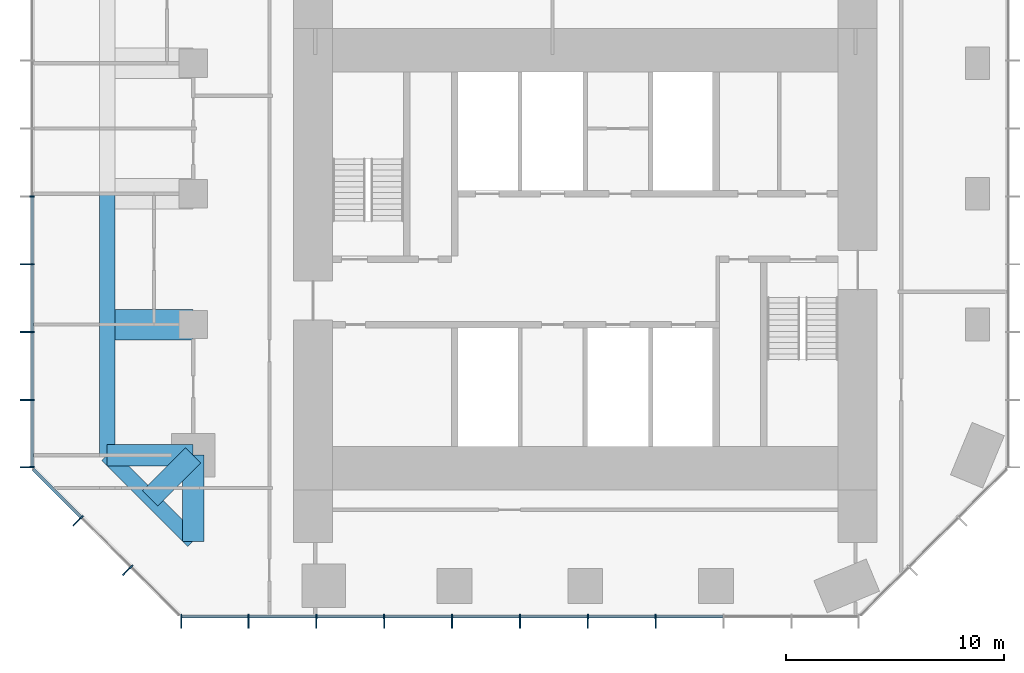
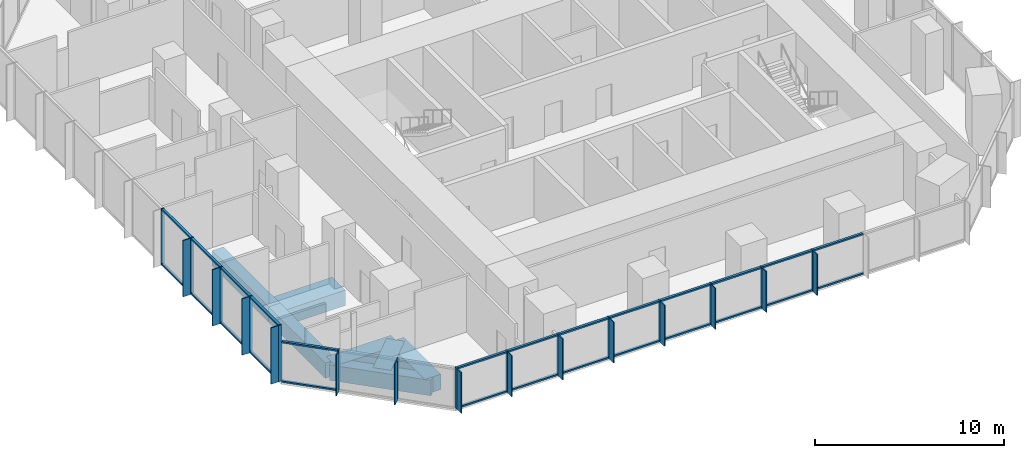
# One storey, part 2 of 11: 55 members, 7 beams, 3 elements without a shape of their own.
"""IFC4 building model written with IfcOpenShell, lengths in metres."""

from ifc_helpers import new_model, si_unit, direction, frame, origin, origin_2d, place, context, subcontext, project, spatial, rectangle, extrude, material, layer, layer_set, material_profile, profile_set, type_object, element, aggregate, save


model = new_model("IFC4")

# Units and contexts
model_context = context("Model", 3, precision=1e-05, world=origin(), true_north=direction((0.0, 1.0)))
body_context = subcontext(model_context, "Body", "Model", "MODEL_VIEW")
ifc_project = project(units=[si_unit("LENGTHUNIT", "METRE"), si_unit("AREAUNIT", "SQUARE_METRE"), si_unit("VOLUMEUNIT", "CUBIC_METRE"), si_unit("PLANEANGLEUNIT", "RADIAN"), si_unit("MASSUNIT", "GRAM", prefix="KILO")], contexts=[model_context])

# Site, building, storey
site_placement = place(None, origin())
site = spatial("IfcSite", under=ifc_project, at=site_placement, CompositionType="ELEMENT")
building_placement = place(site_placement, origin())
building = spatial("IfcBuilding", under=site, at=building_placement, Name="Highveld Stack Headquarters", CompositionType="ELEMENT")
storey_placement = place(building_placement, frame((0.0, 0.0, 208.39990234375)))
storey = spatial("IfcBuildingStorey", under=building, at=storey_placement, Name="L51", CompositionType="ELEMENT", Elevation=208.39990234375)

# Beams
ifc_material_1 = material(Name="Concrete C60/75", Category="concrete")
ifc_material_profile_1 = material_profile(ifc_material_1, rectangle(XDim=1.0, YDim=1.0, at=origin_2d()), Name="RC 1000x1000")
ifc_profile_set_1 = profile_set([ifc_material_profile_1], Name="Concrete C60/75")
beam_type_1 = type_object("IfcBeamType", Name="CANTILEVER RIB RC 1000x1000", PredefinedType="USERDEFINED", material=ifc_profile_set_1)
for number, where, z_axis, x_axis, name in (
    (1, (-12.0, -6.0, -0.75), (-1.0, 0.0, 0.0), (0.0, -1.0, 0.0), "Cantilever rib 4/D L51"),
    (2, (-12.0, -6.0, -0.75), (0.0, -1.0, 0.0), (1.0, 0.0, 0.0), "Cantilever rib 4/D L51"),
):
    element("IfcBeam", number, at=place(storey_placement, frame(where, z_axis=z_axis, x_axis=x_axis)), inside=storey, type_object=beam_type_1, Name=name, ObjectType="CANTILEVER RIB", PredefinedType="USERDEFINED", context=body_context, shape_type="SweptSolid", body=[
        extrude(rectangle(XDim=1.0, YDim=1.0, at=origin_2d()), origin(), (0.0, 0.0, 1.0), 3.949951171875),
    ])
beam_1_placement = place(storey_placement, frame((-12.0, -6.0, -0.75), z_axis=(-0.707106781187, -0.707106781187, 0.0), x_axis=(0.707106781187, -0.707106781187, 0.0)))
element("IfcBeam", 3, at=beam_1_placement, inside=storey, type_object=beam_type_1, Name="Cantilever rib 4/D L51", ObjectType="CANTILEVER RIB", PredefinedType="USERDEFINED", context=body_context, shape_type="SweptSolid", body=[
    extrude(rectangle(XDim=1.0, YDim=1.0, at=origin_2d()), origin(), (0.0, 0.0, 1.0), 2.793212890625),
])
ifc_material_2 = material(Name="Concrete C60/75", Category="concrete")
ifc_material_profile_2 = material_profile(ifc_material_2, rectangle(XDim=1.39990234375, YDim=1.0, at=origin_2d()), Name="RC 1400x1000")
ifc_profile_set_2 = profile_set([ifc_material_profile_2], Name="Concrete C60/75")
beam_type_2 = type_object("IfcBeamType", Name="CANTILEVER RIB RC 1400x1000", PredefinedType="USERDEFINED", material=ifc_profile_set_2)
beam_2_placement = place(storey_placement, frame((-12.0, 0.0, -0.75), z_axis=(-1.0, 0.0, 0.0), x_axis=(0.0, -1.0, 0.0)))
element("IfcBeam", 4, at=beam_2_placement, inside=storey, type_object=beam_type_2, Name="Cantilever rib 4/E L51", ObjectType="CANTILEVER RIB", PredefinedType="USERDEFINED", context=body_context, shape_type="SweptSolid", body=[
    extrude(rectangle(XDim=1.39990234375, YDim=1.0, at=origin_2d()), origin(), (0.0, 0.0, 1.0), 3.949951171875),
])

# Curtain wall, members
ifc_material_3 = material(Name="Aluminium bronze anodised", Category="aluminium")
ifc_layer_1 = layer(ifc_material_3, 0.199951171875)
ifc_layer_set_1 = layer_set([ifc_layer_1], Name="Aluminium bronze anodised")
curtain_wall_type_1 = type_object("IfcCurtainWallType", Name="CW1 TOWER UNITISED CURTAIN WALL", PredefinedType="NOTDEFINED", material=ifc_layer_set_1)
curtain_wall_1_placement = place(storey_placement, origin())
curtain_wall_1 = element("IfcCurtainWall", 5, at=curtain_wall_1_placement, inside=storey, type_object=curtain_wall_type_1, Name="Curtain wall CW1 L51 S", PredefinedType="NOTDEFINED")
ifc_material_4 = material(Name="Aluminium bronze anodised", Category="aluminium")
ifc_material_profile_3 = material_profile(ifc_material_4, rectangle(XDim=0.449951171875, YDim=0.06005859375, at=origin_2d()), Name="FIN 450x60")
ifc_profile_set_3 = profile_set([ifc_material_profile_3], Name="Aluminium bronze anodised")
member_type_1 = type_object("IfcMemberType", Name="CW1 BRONZE FIN 450x60", PredefinedType="USERDEFINED", material=ifc_profile_set_3)
member_1_placement = place(storey_placement, frame((-12.54736328125, -13.72509765625, 0.0), z_axis=(0.0, 0.0, 1.0), x_axis=(0.0, 1.0, 0.0)))
member_1 = element("IfcMember", 6, at=member_1_placement, type_object=member_type_1, Name="CW1 fin L51 1", ObjectType="FIN", PredefinedType="USERDEFINED", context=body_context, shape_type="SweptSolid", body=[
    extrude(rectangle(XDim=0.449951171875, YDim=0.06005859375, at=origin_2d()), origin(), (0.0, 0.0, 1.0), 2.650146484375),
])
member_2_placement = place(storey_placement, frame((-9.4638671875, -13.72509765625, 0.0), z_axis=(0.0, 0.0, 1.0), x_axis=(0.0, 1.0, 0.0)))
member_2 = element("IfcMember", 7, at=member_2_placement, type_object=member_type_1, Name="CW1 fin L51 2", ObjectType="FIN", PredefinedType="USERDEFINED", context=body_context, shape_type="SweptSolid", body=[
    extrude(rectangle(XDim=0.449951171875, YDim=0.06005859375, at=origin_2d()), origin(), (0.0, 0.0, 1.0), 2.650146484375),
])
member_3_placement = place(storey_placement, frame((-6.347900390625, -13.72509765625, 0.0), z_axis=(0.0, 0.0, 1.0), x_axis=(0.0, 1.0, 0.0)))
member_3 = element("IfcMember", 8, at=member_3_placement, type_object=member_type_1, Name="CW1 fin L51 3", ObjectType="FIN", PredefinedType="USERDEFINED", context=body_context, shape_type="SweptSolid", body=[
    extrude(rectangle(XDim=0.449951171875, YDim=0.06005859375, at=origin_2d()), origin(), (0.0, 0.0, 1.0), 2.650146484375),
])
member_4_placement = place(storey_placement, frame((-3.23193359375, -13.72509765625, 0.0), z_axis=(0.0, 0.0, 1.0), x_axis=(0.0, 1.0, 0.0)))
member_4 = element("IfcMember", 9, at=member_4_placement, type_object=member_type_1, Name="CW1 fin L51 4", ObjectType="FIN", PredefinedType="USERDEFINED", context=body_context, shape_type="SweptSolid", body=[
    extrude(rectangle(XDim=0.449951171875, YDim=0.06005859375, at=origin_2d()), origin(), (0.0, 0.0, 1.0), 2.650146484375),
])
member_5_placement = place(storey_placement, frame((-0.115966796875, -13.72509765625, 0.0), z_axis=(0.0, 0.0, 1.0), x_axis=(0.0, 1.0, 0.0)))
member_5 = element("IfcMember", 10, at=member_5_placement, type_object=member_type_1, Name="CW1 fin L51 5", ObjectType="FIN", PredefinedType="USERDEFINED", context=body_context, shape_type="SweptSolid", body=[
    extrude(rectangle(XDim=0.449951171875, YDim=0.06005859375, at=origin_2d()), origin(), (0.0, 0.0, 1.0), 2.650146484375),
])
member_6_placement = place(storey_placement, frame((3.0, -13.72509765625, 0.0), z_axis=(0.0, 0.0, 1.0), x_axis=(0.0, 1.0, 0.0)))
member_6 = element("IfcMember", 11, at=member_6_placement, type_object=member_type_1, Name="CW1 fin L51 6", ObjectType="FIN", PredefinedType="USERDEFINED", context=body_context, shape_type="SweptSolid", body=[
    extrude(rectangle(XDim=0.449951171875, YDim=0.06005859375, at=origin_2d()), origin(), (0.0, 0.0, 1.0), 2.650146484375),
])
member_7_placement = place(storey_placement, frame((6.115966796875, -13.72509765625, 0.0), z_axis=(0.0, 0.0, 1.0), x_axis=(0.0, 1.0, 0.0)))
member_7 = element("IfcMember", 12, at=member_7_placement, type_object=member_type_1, Name="CW1 fin L51 7", ObjectType="FIN", PredefinedType="USERDEFINED", context=body_context, shape_type="SweptSolid", body=[
    extrude(rectangle(XDim=0.449951171875, YDim=0.06005859375, at=origin_2d()), origin(), (0.0, 0.0, 1.0), 2.650146484375),
])
member_8_placement = place(storey_placement, frame((9.23193359375, -13.72509765625, 0.0), z_axis=(0.0, 0.0, 1.0), x_axis=(0.0, 1.0, 0.0)))
member_8 = element("IfcMember", 13, at=member_8_placement, type_object=member_type_1, Name="CW1 fin L51 8", ObjectType="FIN", PredefinedType="USERDEFINED", context=body_context, shape_type="SweptSolid", body=[
    extrude(rectangle(XDim=0.449951171875, YDim=0.06005859375, at=origin_2d()), origin(), (0.0, 0.0, 1.0), 2.650146484375),
])

curtain_wall_2_placement = place(storey_placement, origin())
curtain_wall_2 = element("IfcCurtainWall", 14, at=curtain_wall_2_placement, inside=storey, type_object=curtain_wall_type_1, Name="Curtain wall CW1 L51 W", PredefinedType="NOTDEFINED")
member_9_placement = place(storey_placement, frame((-19.72509765625, 2.76806640625, 0.0), z_axis=(0.0, 0.0, 1.0), x_axis=(1.0, 0.0, 0.0)))
member_9 = element("IfcMember", 15, at=member_9_placement, type_object=member_type_1, Name="CW1 fin L51 8", ObjectType="FIN", PredefinedType="USERDEFINED", context=body_context, shape_type="SweptSolid", body=[
    extrude(rectangle(XDim=0.449951171875, YDim=0.06005859375, at=origin_2d()), origin(), (0.0, 0.0, 1.0), 3.650146484375),
])
member_10_placement = place(storey_placement, frame((-19.72509765625, -0.347900390625, 0.0), z_axis=(0.0, 0.0, 1.0), x_axis=(1.0, 0.0, 0.0)))
member_10 = element("IfcMember", 16, at=member_10_placement, type_object=member_type_1, Name="CW1 fin L51 9", ObjectType="FIN", PredefinedType="USERDEFINED", context=body_context, shape_type="SweptSolid", body=[
    extrude(rectangle(XDim=0.449951171875, YDim=0.06005859375, at=origin_2d()), origin(), (0.0, 0.0, 1.0), 3.650146484375),
])
member_11_placement = place(storey_placement, frame((-19.72509765625, -3.4638671875, 0.0), z_axis=(0.0, 0.0, 1.0), x_axis=(1.0, 0.0, 0.0)))
member_11 = element("IfcMember", 17, at=member_11_placement, type_object=member_type_1, Name="CW1 fin L51 10", ObjectType="FIN", PredefinedType="USERDEFINED", context=body_context, shape_type="SweptSolid", body=[
    extrude(rectangle(XDim=0.449951171875, YDim=0.06005859375, at=origin_2d()), origin(), (0.0, 0.0, 1.0), 3.650146484375),
])
member_12_placement = place(storey_placement, frame((-19.72509765625, -6.54736328125, 0.0), z_axis=(0.0, 0.0, 1.0), x_axis=(1.0, 0.0, 0.0)))
member_12 = element("IfcMember", 18, at=member_12_placement, type_object=member_type_1, Name="CW1 fin L51 11", ObjectType="FIN", PredefinedType="USERDEFINED", context=body_context, shape_type="SweptSolid", body=[
    extrude(rectangle(XDim=0.449951171875, YDim=0.06005859375, at=origin_2d()), origin(), (0.0, 0.0, 1.0), 3.650146484375),
])

# Member
ifc_material_5 = material(Name="Aluminium bronze anodised", Category="aluminium")
ifc_material_profile_4 = material_profile(ifc_material_5, rectangle(XDim=0.199951171875, YDim=0.06494140625, at=origin_2d()), Name="CW1 MULLION 65x200")
ifc_profile_set_4 = profile_set([ifc_material_profile_4], Name="Aluminium bronze anodised")
member_type_2 = type_object("IfcMemberType", Name="CW1 MULLION 65x200", PredefinedType="MULLION", material=ifc_profile_set_4)
member_13_placement = place(storey_placement, frame((-12.54736328125, -13.39990234375, 0.0), z_axis=(0.0, 0.0, 1.0), x_axis=(0.0, 1.0, 0.0)))
member_13 = element("IfcMember", 19, at=member_13_placement, type_object=member_type_2, Name="CW1 mullion L51 1", PredefinedType="MULLION", context=body_context, shape_type="SweptSolid", body=[
    extrude(rectangle(XDim=0.199951171875, YDim=0.06494140625, at=origin_2d()), origin(), (0.0, 0.0, 1.0), 2.650146484375),
])

member_14_placement = place(storey_placement, frame((-9.4638671875, -13.39990234375, 0.0), z_axis=(0.0, 0.0, 1.0), x_axis=(0.0, 1.0, 0.0)))
member_14 = element("IfcMember", 20, at=member_14_placement, type_object=member_type_2, Name="CW1 mullion L51 2", PredefinedType="MULLION", context=body_context, shape_type="SweptSolid", body=[
    extrude(rectangle(XDim=0.199951171875, YDim=0.06494140625, at=origin_2d()), origin(), (0.0, 0.0, 1.0), 2.650146484375),
])

member_15_placement = place(storey_placement, frame((-6.347900390625, -13.39990234375, 0.0), z_axis=(0.0, 0.0, 1.0), x_axis=(0.0, 1.0, 0.0)))
member_15 = element("IfcMember", 21, at=member_15_placement, type_object=member_type_2, Name="CW1 mullion L51 3", PredefinedType="MULLION", context=body_context, shape_type="SweptSolid", body=[
    extrude(rectangle(XDim=0.199951171875, YDim=0.06494140625, at=origin_2d()), origin(), (0.0, 0.0, 1.0), 2.650146484375),
])

member_16_placement = place(storey_placement, frame((-3.23193359375, -13.39990234375, 0.0), z_axis=(0.0, 0.0, 1.0), x_axis=(0.0, 1.0, 0.0)))
member_16 = element("IfcMember", 22, at=member_16_placement, type_object=member_type_2, Name="CW1 mullion L51 4", PredefinedType="MULLION", context=body_context, shape_type="SweptSolid", body=[
    extrude(rectangle(XDim=0.199951171875, YDim=0.06494140625, at=origin_2d()), origin(), (0.0, 0.0, 1.0), 2.650146484375),
])

member_17_placement = place(storey_placement, frame((-0.115966796875, -13.39990234375, 0.0), z_axis=(0.0, 0.0, 1.0), x_axis=(0.0, 1.0, 0.0)))
member_17 = element("IfcMember", 23, at=member_17_placement, type_object=member_type_2, Name="CW1 mullion L51 5", PredefinedType="MULLION", context=body_context, shape_type="SweptSolid", body=[
    extrude(rectangle(XDim=0.199951171875, YDim=0.06494140625, at=origin_2d()), origin(), (0.0, 0.0, 1.0), 2.650146484375),
])

member_18_placement = place(storey_placement, frame((3.0, -13.39990234375, 0.0), z_axis=(0.0, 0.0, 1.0), x_axis=(0.0, 1.0, 0.0)))
member_18 = element("IfcMember", 24, at=member_18_placement, type_object=member_type_2, Name="CW1 mullion L51 6", PredefinedType="MULLION", context=body_context, shape_type="SweptSolid", body=[
    extrude(rectangle(XDim=0.199951171875, YDim=0.06494140625, at=origin_2d()), origin(), (0.0, 0.0, 1.0), 2.650146484375),
])

member_19_placement = place(storey_placement, frame((6.115966796875, -13.39990234375, 0.0), z_axis=(0.0, 0.0, 1.0), x_axis=(0.0, 1.0, 0.0)))
member_19 = element("IfcMember", 25, at=member_19_placement, type_object=member_type_2, Name="CW1 mullion L51 7", PredefinedType="MULLION", context=body_context, shape_type="SweptSolid", body=[
    extrude(rectangle(XDim=0.199951171875, YDim=0.06494140625, at=origin_2d()), origin(), (0.0, 0.0, 1.0), 2.650146484375),
])

member_20_placement = place(storey_placement, frame((9.23193359375, -13.39990234375, 0.0), z_axis=(0.0, 0.0, 1.0), x_axis=(0.0, 1.0, 0.0)))
member_20 = element("IfcMember", 26, at=member_20_placement, type_object=member_type_2, Name="CW1 mullion L51 8", PredefinedType="MULLION", context=body_context, shape_type="SweptSolid", body=[
    extrude(rectangle(XDim=0.199951171875, YDim=0.06494140625, at=origin_2d()), origin(), (0.0, 0.0, 1.0), 2.650146484375),
])

member_21_placement = place(storey_placement, frame((-19.39990234375, 5.884033203125, 0.0), z_axis=(0.0, 0.0, 1.0), x_axis=(1.0, 0.0, 0.0)))
member_21 = element("IfcMember", 27, at=member_21_placement, type_object=member_type_2, Name="CW1 mullion L51 7", PredefinedType="MULLION", context=body_context, shape_type="SweptSolid", body=[
    extrude(rectangle(XDim=0.199951171875, YDim=0.06494140625, at=origin_2d()), origin(), (0.0, 0.0, 1.0), 3.650146484375),
])

member_22_placement = place(storey_placement, frame((-19.39990234375, 2.76806640625, 0.0), z_axis=(0.0, 0.0, 1.0), x_axis=(1.0, 0.0, 0.0)))
member_22 = element("IfcMember", 28, at=member_22_placement, type_object=member_type_2, Name="CW1 mullion L51 8", PredefinedType="MULLION", context=body_context, shape_type="SweptSolid", body=[
    extrude(rectangle(XDim=0.199951171875, YDim=0.06494140625, at=origin_2d()), origin(), (0.0, 0.0, 1.0), 3.650146484375),
])

member_23_placement = place(storey_placement, frame((-19.39990234375, -0.347900390625, 0.0), z_axis=(0.0, 0.0, 1.0), x_axis=(1.0, 0.0, 0.0)))
member_23 = element("IfcMember", 29, at=member_23_placement, type_object=member_type_2, Name="CW1 mullion L51 9", PredefinedType="MULLION", context=body_context, shape_type="SweptSolid", body=[
    extrude(rectangle(XDim=0.199951171875, YDim=0.06494140625, at=origin_2d()), origin(), (0.0, 0.0, 1.0), 3.650146484375),
])

member_24_placement = place(storey_placement, frame((-19.39990234375, -3.4638671875, 0.0), z_axis=(0.0, 0.0, 1.0), x_axis=(1.0, 0.0, 0.0)))
member_24 = element("IfcMember", 30, at=member_24_placement, type_object=member_type_2, Name="CW1 mullion L51 10", PredefinedType="MULLION", context=body_context, shape_type="SweptSolid", body=[
    extrude(rectangle(XDim=0.199951171875, YDim=0.06494140625, at=origin_2d()), origin(), (0.0, 0.0, 1.0), 3.650146484375),
])

member_25_placement = place(storey_placement, frame((-19.39990234375, -6.54736328125, 0.0), z_axis=(0.0, 0.0, 1.0), x_axis=(1.0, 0.0, 0.0)))
member_25 = element("IfcMember", 31, at=member_25_placement, type_object=member_type_2, Name="CW1 mullion L51 11", PredefinedType="MULLION", context=body_context, shape_type="SweptSolid", body=[
    extrude(rectangle(XDim=0.199951171875, YDim=0.06494140625, at=origin_2d()), origin(), (0.0, 0.0, 1.0), 3.650146484375),
])

ifc_material_6 = material(Name="Aluminium bronze anodised", Category="aluminium")
ifc_material_profile_5 = material_profile(ifc_material_6, rectangle(XDim=0.14990234375, YDim=0.10009765625, at=origin_2d()), Name="CW1 TRANSOM 150x100")
ifc_profile_set_5 = profile_set([ifc_material_profile_5], Name="Aluminium bronze anodised")
member_type_3 = type_object("IfcMemberType", Name="CW1 STACK TRANSOM 150x100", PredefinedType="USERDEFINED", material=ifc_profile_set_5)
member_26_placement = place(storey_placement, frame((-12.514892578125, -13.39990234375, 0.050048828125), z_axis=(1.0, 0.0, 0.0), x_axis=(0.0, 1.0, 0.0)))
member_26 = element("IfcMember", 32, at=member_26_placement, type_object=member_type_3, Name="CW1 transom L51 1.1", ObjectType="TRANSOM", PredefinedType="USERDEFINED", context=body_context, shape_type="SweptSolid", body=[
    extrude(rectangle(XDim=0.14990234375, YDim=0.10009765625, at=origin_2d()), origin(), (0.0, 0.0, 1.0), 3.0185546875),
])

member_27_placement = place(storey_placement, frame((-12.514892578125, -13.39990234375, 2.60009765625), z_axis=(1.0, 0.0, 0.0), x_axis=(0.0, 1.0, 0.0)))
member_27 = element("IfcMember", 33, at=member_27_placement, type_object=member_type_3, Name="CW1 transom L51 1.2", ObjectType="TRANSOM", PredefinedType="USERDEFINED", context=body_context, shape_type="SweptSolid", body=[
    extrude(rectangle(XDim=0.14990234375, YDim=0.10009765625, at=origin_2d()), origin(), (0.0, 0.0, 1.0), 3.0185546875),
])

member_28_placement = place(storey_placement, frame((-9.431396484375, -13.39990234375, 0.050048828125), z_axis=(1.0, 0.0, 0.0), x_axis=(0.0, 1.0, 0.0)))
member_28 = element("IfcMember", 34, at=member_28_placement, type_object=member_type_3, Name="CW1 transom L51 2.1", ObjectType="TRANSOM", PredefinedType="USERDEFINED", context=body_context, shape_type="SweptSolid", body=[
    extrude(rectangle(XDim=0.14990234375, YDim=0.10009765625, at=origin_2d()), origin(), (0.0, 0.0, 1.0), 3.051025390625),
])

member_29_placement = place(storey_placement, frame((-9.431396484375, -13.39990234375, 2.60009765625), z_axis=(1.0, 0.0, 0.0), x_axis=(0.0, 1.0, 0.0)))
member_29 = element("IfcMember", 35, at=member_29_placement, type_object=member_type_3, Name="CW1 transom L51 2.2", ObjectType="TRANSOM", PredefinedType="USERDEFINED", context=body_context, shape_type="SweptSolid", body=[
    extrude(rectangle(XDim=0.14990234375, YDim=0.10009765625, at=origin_2d()), origin(), (0.0, 0.0, 1.0), 3.051025390625),
])

member_30_placement = place(storey_placement, frame((-6.3154296875, -13.39990234375, 0.050048828125), z_axis=(1.0, 0.0, 0.0), x_axis=(0.0, 1.0, 0.0)))
member_30 = element("IfcMember", 36, at=member_30_placement, type_object=member_type_3, Name="CW1 transom L51 3.1", ObjectType="TRANSOM", PredefinedType="USERDEFINED", context=body_context, shape_type="SweptSolid", body=[
    extrude(rectangle(XDim=0.14990234375, YDim=0.10009765625, at=origin_2d()), origin(), (0.0, 0.0, 1.0), 3.051025390625),
])

member_31_placement = place(storey_placement, frame((-6.3154296875, -13.39990234375, 2.60009765625), z_axis=(1.0, 0.0, 0.0), x_axis=(0.0, 1.0, 0.0)))
member_31 = element("IfcMember", 37, at=member_31_placement, type_object=member_type_3, Name="CW1 transom L51 3.2", ObjectType="TRANSOM", PredefinedType="USERDEFINED", context=body_context, shape_type="SweptSolid", body=[
    extrude(rectangle(XDim=0.14990234375, YDim=0.10009765625, at=origin_2d()), origin(), (0.0, 0.0, 1.0), 3.051025390625),
])

member_32_placement = place(storey_placement, frame((-3.199462890625, -13.39990234375, 0.050048828125), z_axis=(1.0, 0.0, 0.0), x_axis=(0.0, 1.0, 0.0)))
member_32 = element("IfcMember", 38, at=member_32_placement, type_object=member_type_3, Name="CW1 transom L51 4.1", ObjectType="TRANSOM", PredefinedType="USERDEFINED", context=body_context, shape_type="SweptSolid", body=[
    extrude(rectangle(XDim=0.14990234375, YDim=0.10009765625, at=origin_2d()), origin(), (0.0, 0.0, 1.0), 3.051025390625),
])

member_33_placement = place(storey_placement, frame((-3.199462890625, -13.39990234375, 2.60009765625), z_axis=(1.0, 0.0, 0.0), x_axis=(0.0, 1.0, 0.0)))
member_33 = element("IfcMember", 39, at=member_33_placement, type_object=member_type_3, Name="CW1 transom L51 4.2", ObjectType="TRANSOM", PredefinedType="USERDEFINED", context=body_context, shape_type="SweptSolid", body=[
    extrude(rectangle(XDim=0.14990234375, YDim=0.10009765625, at=origin_2d()), origin(), (0.0, 0.0, 1.0), 3.051025390625),
])

member_34_placement = place(storey_placement, frame((-0.08349609375, -13.39990234375, 0.050048828125), z_axis=(1.0, 0.0, 0.0), x_axis=(0.0, 1.0, 0.0)))
member_34 = element("IfcMember", 40, at=member_34_placement, type_object=member_type_3, Name="CW1 transom L51 5.1", ObjectType="TRANSOM", PredefinedType="USERDEFINED", context=body_context, shape_type="SweptSolid", body=[
    extrude(rectangle(XDim=0.14990234375, YDim=0.10009765625, at=origin_2d()), origin(), (0.0, 0.0, 1.0), 3.051025390625),
])

member_35_placement = place(storey_placement, frame((-0.08349609375, -13.39990234375, 2.60009765625), z_axis=(1.0, 0.0, 0.0), x_axis=(0.0, 1.0, 0.0)))
member_35 = element("IfcMember", 41, at=member_35_placement, type_object=member_type_3, Name="CW1 transom L51 5.2", ObjectType="TRANSOM", PredefinedType="USERDEFINED", context=body_context, shape_type="SweptSolid", body=[
    extrude(rectangle(XDim=0.14990234375, YDim=0.10009765625, at=origin_2d()), origin(), (0.0, 0.0, 1.0), 3.051025390625),
])

member_36_placement = place(storey_placement, frame((3.032470703125, -13.39990234375, 0.050048828125), z_axis=(1.0, 0.0, 0.0), x_axis=(0.0, 1.0, 0.0)))
member_36 = element("IfcMember", 42, at=member_36_placement, type_object=member_type_3, Name="CW1 transom L51 6.1", ObjectType="TRANSOM", PredefinedType="USERDEFINED", context=body_context, shape_type="SweptSolid", body=[
    extrude(rectangle(XDim=0.14990234375, YDim=0.10009765625, at=origin_2d()), origin(), (0.0, 0.0, 1.0), 3.051025390625),
])

member_37_placement = place(storey_placement, frame((3.032470703125, -13.39990234375, 2.60009765625), z_axis=(1.0, 0.0, 0.0), x_axis=(0.0, 1.0, 0.0)))
member_37 = element("IfcMember", 43, at=member_37_placement, type_object=member_type_3, Name="CW1 transom L51 6.2", ObjectType="TRANSOM", PredefinedType="USERDEFINED", context=body_context, shape_type="SweptSolid", body=[
    extrude(rectangle(XDim=0.14990234375, YDim=0.10009765625, at=origin_2d()), origin(), (0.0, 0.0, 1.0), 3.051025390625),
])

member_38_placement = place(storey_placement, frame((6.1484375, -13.39990234375, 0.050048828125), z_axis=(1.0, 0.0, 0.0), x_axis=(0.0, 1.0, 0.0)))
member_38 = element("IfcMember", 44, at=member_38_placement, type_object=member_type_3, Name="CW1 transom L51 7.1", ObjectType="TRANSOM", PredefinedType="USERDEFINED", context=body_context, shape_type="SweptSolid", body=[
    extrude(rectangle(XDim=0.14990234375, YDim=0.10009765625, at=origin_2d()), origin(), (0.0, 0.0, 1.0), 3.051025390625),
])

member_39_placement = place(storey_placement, frame((6.1484375, -13.39990234375, 2.60009765625), z_axis=(1.0, 0.0, 0.0), x_axis=(0.0, 1.0, 0.0)))
member_39 = element("IfcMember", 45, at=member_39_placement, type_object=member_type_3, Name="CW1 transom L51 7.2", ObjectType="TRANSOM", PredefinedType="USERDEFINED", context=body_context, shape_type="SweptSolid", body=[
    extrude(rectangle(XDim=0.14990234375, YDim=0.10009765625, at=origin_2d()), origin(), (0.0, 0.0, 1.0), 3.051025390625),
])

member_40_placement = place(storey_placement, frame((9.264404296875, -13.39990234375, 0.050048828125), z_axis=(1.0, 0.0, 0.0), x_axis=(0.0, 1.0, 0.0)))
member_40 = element("IfcMember", 46, at=member_40_placement, type_object=member_type_3, Name="CW1 transom L51 8.1", ObjectType="TRANSOM", PredefinedType="USERDEFINED", context=body_context, shape_type="SweptSolid", body=[
    extrude(rectangle(XDim=0.14990234375, YDim=0.10009765625, at=origin_2d()), origin(), (0.0, 0.0, 1.0), 3.051025390625),
])

member_41_placement = place(storey_placement, frame((9.264404296875, -13.39990234375, 2.60009765625), z_axis=(1.0, 0.0, 0.0), x_axis=(0.0, 1.0, 0.0)))
member_41 = element("IfcMember", 47, at=member_41_placement, type_object=member_type_3, Name="CW1 transom L51 8.2", ObjectType="TRANSOM", PredefinedType="USERDEFINED", context=body_context, shape_type="SweptSolid", body=[
    extrude(rectangle(XDim=0.14990234375, YDim=0.10009765625, at=origin_2d()), origin(), (0.0, 0.0, 1.0), 3.051025390625),
])

aggregate(curtain_wall_1, [member_13, member_1, member_14, member_2, member_15, member_3, member_16, member_4, member_17, member_5, member_18, member_6, member_19, member_7, member_20, member_8, member_26, member_27, member_28, member_29, member_30, member_31, member_32, member_33, member_34, member_35, member_36, member_37, member_38, member_39, member_40, member_41])

member_42_placement = place(storey_placement, frame((-19.39990234375, 5.8515625, 0.050048828125), z_axis=(0.0, -1.0, 0.0), x_axis=(1.0, 0.0, 0.0)))
member_42 = element("IfcMember", 48, at=member_42_placement, type_object=member_type_3, Name="CW1 transom L51 7.1", ObjectType="TRANSOM", PredefinedType="USERDEFINED", context=body_context, shape_type="SweptSolid", body=[
    extrude(rectangle(XDim=0.14990234375, YDim=0.10009765625, at=origin_2d()), origin(), (0.0, 0.0, 1.0), 3.051025390625),
])

member_43_placement = place(storey_placement, frame((-19.39990234375, 5.8515625, 3.60009765625), z_axis=(0.0, -1.0, 0.0), x_axis=(1.0, 0.0, 0.0)))
member_43 = element("IfcMember", 49, at=member_43_placement, type_object=member_type_3, Name="CW1 transom L51 7.2", ObjectType="TRANSOM", PredefinedType="USERDEFINED", context=body_context, shape_type="SweptSolid", body=[
    extrude(rectangle(XDim=0.14990234375, YDim=0.10009765625, at=origin_2d()), origin(), (0.0, 0.0, 1.0), 3.051025390625),
])

member_44_placement = place(storey_placement, frame((-19.39990234375, 2.735595703125, 0.050048828125), z_axis=(0.0, -1.0, 0.0), x_axis=(1.0, 0.0, 0.0)))
member_44 = element("IfcMember", 50, at=member_44_placement, type_object=member_type_3, Name="CW1 transom L51 8.1", ObjectType="TRANSOM", PredefinedType="USERDEFINED", context=body_context, shape_type="SweptSolid", body=[
    extrude(rectangle(XDim=0.14990234375, YDim=0.10009765625, at=origin_2d()), origin(), (0.0, 0.0, 1.0), 3.051025390625),
])

member_45_placement = place(storey_placement, frame((-19.39990234375, 2.735595703125, 3.60009765625), z_axis=(0.0, -1.0, 0.0), x_axis=(1.0, 0.0, 0.0)))
member_45 = element("IfcMember", 51, at=member_45_placement, type_object=member_type_3, Name="CW1 transom L51 8.2", ObjectType="TRANSOM", PredefinedType="USERDEFINED", context=body_context, shape_type="SweptSolid", body=[
    extrude(rectangle(XDim=0.14990234375, YDim=0.10009765625, at=origin_2d()), origin(), (0.0, 0.0, 1.0), 3.051025390625),
])

member_46_placement = place(storey_placement, frame((-19.39990234375, -0.38037109375, 0.050048828125), z_axis=(0.0, -1.0, 0.0), x_axis=(1.0, 0.0, 0.0)))
member_46 = element("IfcMember", 52, at=member_46_placement, type_object=member_type_3, Name="CW1 transom L51 9.1", ObjectType="TRANSOM", PredefinedType="USERDEFINED", context=body_context, shape_type="SweptSolid", body=[
    extrude(rectangle(XDim=0.14990234375, YDim=0.10009765625, at=origin_2d()), origin(), (0.0, 0.0, 1.0), 3.051025390625),
])

member_47_placement = place(storey_placement, frame((-19.39990234375, -0.38037109375, 3.60009765625), z_axis=(0.0, -1.0, 0.0), x_axis=(1.0, 0.0, 0.0)))
member_47 = element("IfcMember", 53, at=member_47_placement, type_object=member_type_3, Name="CW1 transom L51 9.2", ObjectType="TRANSOM", PredefinedType="USERDEFINED", context=body_context, shape_type="SweptSolid", body=[
    extrude(rectangle(XDim=0.14990234375, YDim=0.10009765625, at=origin_2d()), origin(), (0.0, 0.0, 1.0), 3.051025390625),
])

member_48_placement = place(storey_placement, frame((-19.39990234375, -3.496337890625, 0.050048828125), z_axis=(0.0, -1.0, 0.0), x_axis=(1.0, 0.0, 0.0)))
member_48 = element("IfcMember", 54, at=member_48_placement, type_object=member_type_3, Name="CW1 transom L51 10.1", ObjectType="TRANSOM", PredefinedType="USERDEFINED", context=body_context, shape_type="SweptSolid", body=[
    extrude(rectangle(XDim=0.14990234375, YDim=0.10009765625, at=origin_2d()), origin(), (0.0, 0.0, 1.0), 3.0185546875),
])

member_49_placement = place(storey_placement, frame((-19.39990234375, -3.496337890625, 3.60009765625), z_axis=(0.0, -1.0, 0.0), x_axis=(1.0, 0.0, 0.0)))
member_49 = element("IfcMember", 55, at=member_49_placement, type_object=member_type_3, Name="CW1 transom L51 10.2", ObjectType="TRANSOM", PredefinedType="USERDEFINED", context=body_context, shape_type="SweptSolid", body=[
    extrude(rectangle(XDim=0.14990234375, YDim=0.10009765625, at=origin_2d()), origin(), (0.0, 0.0, 1.0), 3.0185546875),
])

aggregate(curtain_wall_2, [member_21, member_22, member_9, member_23, member_10, member_24, member_11, member_25, member_12, member_42, member_43, member_44, member_45, member_46, member_47, member_48, member_49])

# Curtain wall, members
ifc_material_7 = material(Name="Aluminium bronze anodised", Category="aluminium")
ifc_layer_2 = layer(ifc_material_7, 0.199951171875)
ifc_layer_set_2 = layer_set([ifc_layer_2], Name="Aluminium bronze anodised")
curtain_wall_type_2 = type_object("IfcCurtainWallType", Name="CW2 TOWER CHAMFER UNITISED CURTAIN WALL", PredefinedType="NOTDEFINED", material=ifc_layer_set_2)
curtain_wall_3_placement = place(storey_placement, origin())
curtain_wall_3 = element("IfcCurtainWall", 56, at=curtain_wall_3_placement, inside=storey, type_object=curtain_wall_type_2, Name="Curtain wall CW2 L51 SW", PredefinedType="NOTDEFINED")
ifc_material_8 = material(Name="Aluminium bronze anodised", Category="aluminium")
ifc_material_profile_6 = material_profile(ifc_material_8, rectangle(XDim=0.449951171875, YDim=0.06005859375, at=origin_2d()), Name="FIN 450x60")
ifc_profile_set_6 = profile_set([ifc_material_profile_6], Name="Aluminium bronze anodised")
member_type_4 = type_object("IfcMemberType", Name="CW2 BRONZE FIN 450x60", PredefinedType="USERDEFINED", material=ifc_profile_set_6)
member_50_placement = place(storey_placement, frame((-17.3564453125, -9.0830078125, 0.0), z_axis=(0.0, 0.0, 1.0), x_axis=(0.707106781187, 0.707106781187, 0.0)))
member_50 = element("IfcMember", 57, at=member_50_placement, type_object=member_type_4, Name="CW2 fin L51 1", ObjectType="FIN", PredefinedType="USERDEFINED", context=body_context, shape_type="SweptSolid", body=[
    extrude(rectangle(XDim=0.449951171875, YDim=0.06005859375, at=origin_2d()), origin(), (0.0, 0.0, 1.0), 2.650146484375),
])
member_51_placement = place(storey_placement, frame((-15.0830078125, -11.3564453125, 0.0), z_axis=(0.0, 0.0, 1.0), x_axis=(0.707106781187, 0.707106781187, 0.0)))
member_51 = element("IfcMember", 58, at=member_51_placement, type_object=member_type_4, Name="CW2 fin L51 2", ObjectType="FIN", PredefinedType="USERDEFINED", context=body_context, shape_type="SweptSolid", body=[
    extrude(rectangle(XDim=0.449951171875, YDim=0.06005859375, at=origin_2d()), origin(), (0.0, 0.0, 1.0), 2.650146484375),
])
ifc_material_9 = material(Name="Aluminium bronze anodised", Category="aluminium")
ifc_material_profile_7 = material_profile(ifc_material_9, rectangle(XDim=0.199951171875, YDim=0.06494140625, at=origin_2d()), Name="CW2 MULLION 65x200")
ifc_profile_set_7 = profile_set([ifc_material_profile_7], Name="Aluminium bronze anodised")
member_type_5 = type_object("IfcMemberType", Name="CW2 MULLION 65x200", PredefinedType="MULLION", material=ifc_profile_set_7)
member_52_placement = place(storey_placement, frame((-17.126708984375, -8.853271484375, 0.0), z_axis=(0.0, 0.0, 1.0), x_axis=(0.707106781187, 0.707106781187, 0.0)))
member_52 = element("IfcMember", 59, at=member_52_placement, type_object=member_type_5, Name="CW2 mullion L51 1", PredefinedType="MULLION", context=body_context, shape_type="SweptSolid", body=[
    extrude(rectangle(XDim=0.199951171875, YDim=0.06494140625, at=origin_2d()), origin(), (0.0, 0.0, 1.0), 2.650146484375),
])
member_53_placement = place(storey_placement, frame((-14.853271484375, -11.126708984375, 0.0), z_axis=(0.0, 0.0, 1.0), x_axis=(0.707106781187, 0.707106781187, 0.0)))
member_53 = element("IfcMember", 60, at=member_53_placement, type_object=member_type_5, Name="CW2 mullion L51 2", PredefinedType="MULLION", context=body_context, shape_type="SweptSolid", body=[
    extrude(rectangle(XDim=0.199951171875, YDim=0.06494140625, at=origin_2d()), origin(), (0.0, 0.0, 1.0), 2.650146484375),
])
ifc_material_10 = material(Name="Aluminium bronze anodised", Category="aluminium")
ifc_material_profile_8 = material_profile(ifc_material_10, rectangle(XDim=0.14990234375, YDim=0.10009765625, at=origin_2d()), Name="CW2 TRANSOM 150x100")
ifc_profile_set_8 = profile_set([ifc_material_profile_8], Name="Aluminium bronze anodised")
member_type_6 = type_object("IfcMemberType", Name="CW2 STACK TRANSOM 150x100", PredefinedType="USERDEFINED", material=ifc_profile_set_8)
member_54_placement = place(storey_placement, frame((-19.329345703125, -6.650634765625, 0.050048828125), z_axis=(0.707106781187, -0.707106781187, 0.0), x_axis=(0.707106781187, 0.707106781187, 0.0)))
member_54 = element("IfcMember", 61, at=member_54_placement, type_object=member_type_6, Name="CW2 transom L51 1.1", ObjectType="TRANSOM", PredefinedType="USERDEFINED", context=body_context, shape_type="SweptSolid", body=[
    extrude(rectangle(XDim=0.14990234375, YDim=0.10009765625, at=origin_2d()), origin(), (0.0, 0.0, 1.0), 3.08251953125),
])
member_55_placement = place(storey_placement, frame((-19.329345703125, -6.650634765625, 2.60009765625), z_axis=(0.707106781187, -0.707106781187, 0.0), x_axis=(0.707106781187, 0.707106781187, 0.0)))
member_55 = element("IfcMember", 62, at=member_55_placement, type_object=member_type_6, Name="CW2 transom L51 1.2", ObjectType="TRANSOM", PredefinedType="USERDEFINED", context=body_context, shape_type="SweptSolid", body=[
    extrude(rectangle(XDim=0.14990234375, YDim=0.10009765625, at=origin_2d()), origin(), (0.0, 0.0, 1.0), 3.08251953125),
])
aggregate(curtain_wall_3, [member_52, member_50, member_53, member_51, member_54, member_55])

# Beams
ifc_material_11 = material(Name="Concrete C60/75", Category="concrete")
ifc_material_profile_9 = material_profile(ifc_material_11, rectangle(XDim=0.699951171875, YDim=1.0, at=origin_2d()), Name="RC 700x1000")
ifc_profile_set_9 = profile_set([ifc_material_profile_9], Name="Concrete C60/75")
beam_type_3 = type_object("IfcBeamType", Name="RIB TIP BEAM RC 700x1000", PredefinedType="SPANDREL", material=ifc_profile_set_9)
for number, where, z_axis, x_axis, name in (
    (63, (-15.949951171875, -6.0, -0.75), (0.0, 1.0, 0.0), (-1.0, 0.0, 0.0), "Rib tip beam 4/D to 4/E L51"),
    (64, (-15.949951171875, 0.0, -0.75), (0.0, 1.0, 0.0), (-1.0, 0.0, 0.0), "Rib tip beam 4/E to 4/F L51"),
):
    element("IfcBeam", number, at=place(storey_placement, frame(where, z_axis=z_axis, x_axis=x_axis)), inside=storey, type_object=beam_type_3, Name=name, PredefinedType="SPANDREL", context=body_context, shape_type="SweptSolid", body=[
        extrude(rectangle(XDim=0.699951171875, YDim=1.0, at=origin_2d()), origin(), (0.0, 0.0, 1.0), 6.0),
    ])
beam_3_placement = place(storey_placement, frame((-15.949951171875, -6.0, -0.75), z_axis=(0.707106781187, -0.707106781187, 0.0), x_axis=(0.707106781187, 0.707106781187, 0.0)))
element("IfcBeam", 65, at=beam_3_placement, inside=storey, type_object=beam_type_3, Name="Rib tip beam 4/D corner L51", PredefinedType="SPANDREL", context=body_context, shape_type="SweptSolid", body=[
    extrude(rectangle(XDim=0.699951171875, YDim=1.0, at=origin_2d()), origin(), (0.0, 0.0, 1.0), 5.586181640625),
])

save(model, "model.ifc")
